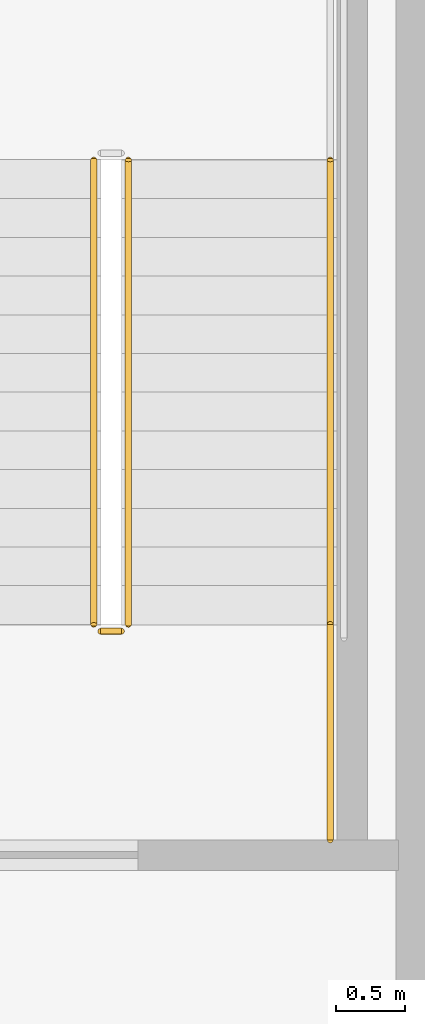
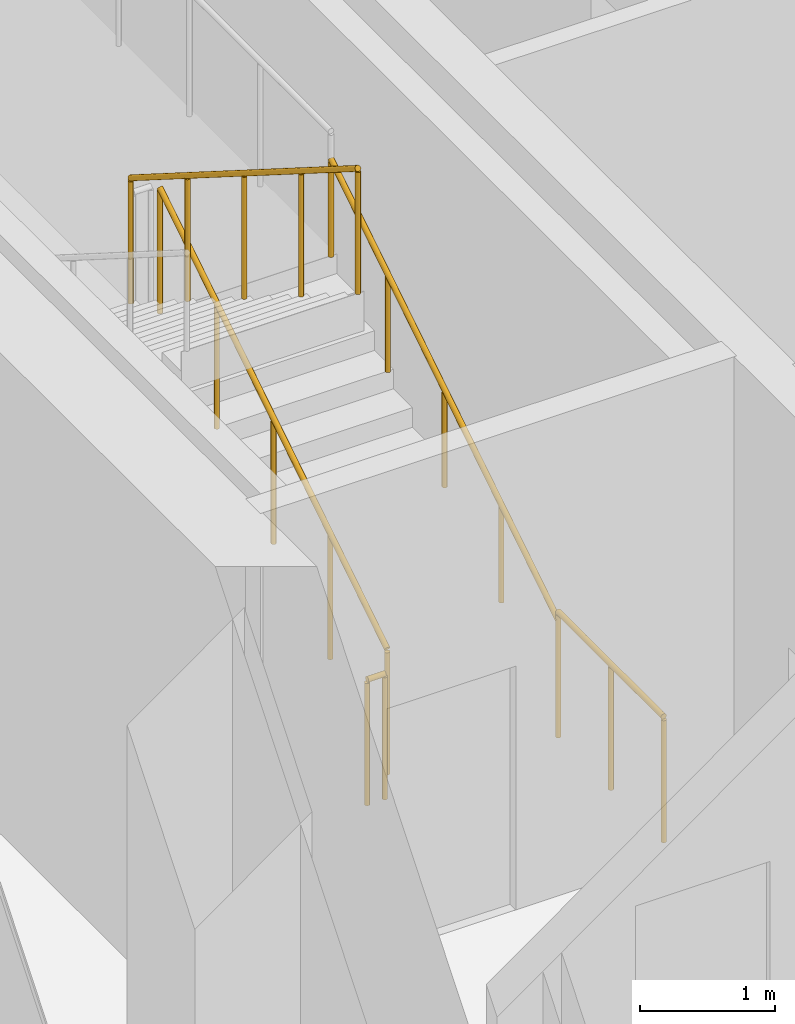
# One storey, part 11 of 14: 5 railings.
"""IFC4 building model written with IfcOpenShell, lengths in metres."""

from ifc_helpers import new_model, si_unit, direction, frame, origin, origin_2d, place, context, subcontext, project, spatial, circle, extrude, material, type_object, element, save


model = new_model("IFC4")

# Units and contexts
model_context = context("Model", 3, precision=1e-05, world=origin(), true_north=direction((0.0, 1.0)))
body_context = subcontext(model_context, "Body", "Model", "MODEL_VIEW")
ifc_project = project(units=[si_unit("LENGTHUNIT", "METRE"), si_unit("AREAUNIT", "SQUARE_METRE"), si_unit("VOLUMEUNIT", "CUBIC_METRE"), si_unit("PLANEANGLEUNIT", "RADIAN"), si_unit("MASSUNIT", "GRAM", prefix="KILO")], contexts=[model_context])

# Site, building, storey
site_placement = place(None, origin())
site = spatial("IfcSite", under=ifc_project, at=site_placement, CompositionType="ELEMENT")
building_placement = place(site_placement, origin())
building = spatial("IfcBuilding", under=site, at=building_placement, Name="Khairoan Windgate Tower", CompositionType="ELEMENT")
storey_placement = place(building_placement, frame((0.0, 0.0, 160.39990234375)))
storey = spatial("IfcBuildingStorey", under=building, at=storey_placement, Name="L36", CompositionType="ELEMENT", Elevation=160.39990234375)

# Railings
ifc_material_1 = material(Name="Anodised Bronze Aluminium 6063-T6", Category="aluminium")
railing_type_1 = type_object("IfcRailingType", Name="Stair Wall Handrail SHR-900", PredefinedType="HANDRAIL", material=ifc_material_1)
railing_1_placement = place(storey_placement, frame((-16.199951171875, 2.9599609375, 0.177001953125)))
element("IfcRailing", 1, at=railing_1_placement, inside=storey, type_object=railing_type_1, Name="L36 ST2 stair handrail 1", PredefinedType="HANDRAIL", context=body_context, shape_type="SweptSolid", body=[
    extrude(circle(Radius=0.02392578125, at=origin_2d()), frame((0.0, 0.0, 0.8759765625), z_axis=(0.0, 0.845389635667, 0.534150132366), x_axis=(-1.0, 0.0, 0.0)), (0.0, 0.0, 1.0), 3.974609375),
    extrude(circle(Radius=0.02099609375, at=origin_2d()), origin(), (0.0, 0.0, 1.0), 0.851806640625),
    extrude(circle(Radius=0.02099609375, at=origin_2d()), frame((0.0, 0.840087890625, 0.53076171875)), (0.0, 0.0, 1.0), 0.851806640625),
    extrude(circle(Radius=0.02099609375, at=origin_2d()), frame((0.0, 1.68017578125, 1.0615234375)), (0.0, 0.0, 1.0), 0.851806640625),
    extrude(circle(Radius=0.02099609375, at=origin_2d()), frame((0.0, 2.52001953125, 1.59228515625)), (0.0, 0.0, 1.0), 0.851806640625),
    extrude(circle(Radius=0.02099609375, at=origin_2d()), frame((0.0, 3.360107421875, 2.123046875)), (0.0, 0.0, 1.0), 0.851806640625),
])
ifc_material_2 = material(Name="Steel S355", Category="steel")
railing_type_2 = type_object("IfcRailingType", Name="Stairwell Safety Guardrail SGR-1150", PredefinedType="GUARDRAIL", material=ifc_material_2)
railing_2_placement = place(storey_placement, frame((-17.659912109375, 2.9599609375, 0.177001953125)))
element("IfcRailing", 2, at=railing_2_placement, inside=storey, type_object=railing_type_2, Name="L36 ST2 stair guard 1", PredefinedType="GUARDRAIL", context=body_context, shape_type="SweptSolid", body=[
    extrude(circle(Radius=0.02392578125, at=origin_2d()), frame((0.0, 0.0, 1.1259765625), z_axis=(0.0, 0.845389635667, 0.534150132366), x_axis=(-1.0, 0.0, 0.0)), (0.0, 0.0, 1.0), 3.974609375),
    extrude(circle(Radius=0.02099609375, at=origin_2d()), origin(), (0.0, 0.0, 1.0), 1.101806640625),
    extrude(circle(Radius=0.02099609375, at=origin_2d()), frame((0.0, 0.840087890625, 0.53076171875)), (0.0, 0.0, 1.0), 1.101806640625),
    extrude(circle(Radius=0.02099609375, at=origin_2d()), frame((0.0, 1.68017578125, 1.0615234375)), (0.0, 0.0, 1.0), 1.101806640625),
    extrude(circle(Radius=0.02099609375, at=origin_2d()), frame((0.0, 2.52001953125, 1.59228515625)), (0.0, 0.0, 1.0), 1.101806640625),
    extrude(circle(Radius=0.02099609375, at=origin_2d()), frame((0.0, 3.360107421875, 2.123046875)), (0.0, 0.0, 1.0), 1.101806640625),
])
railing_3_placement = place(storey_placement, frame((-17.909912109375, 6.320068359375, 2.47705078125)))
element("IfcRailing", 3, at=railing_3_placement, inside=storey, type_object=railing_type_2, Name="L36 ST2 stair guard 6", PredefinedType="GUARDRAIL", context=body_context, shape_type="SweptSolid", body=[
    extrude(circle(Radius=0.02392578125, at=origin_2d()), frame((0.0, 0.0, 1.1259765625), z_axis=(0.0, -0.845389635667, 0.534150132366), x_axis=(1.0, 0.0, 0.0)), (0.0, 0.0, 1.0), 3.974609375),
    extrude(circle(Radius=0.02099609375, at=origin_2d()), origin(), (0.0, 0.0, 1.0), 1.101806640625),
    extrude(circle(Radius=0.02099609375, at=origin_2d()), frame((0.0, -0.840087890625, 0.53076171875)), (0.0, 0.0, 1.0), 1.101806640625),
    extrude(circle(Radius=0.02099609375, at=origin_2d()), frame((0.0, -1.68017578125, 1.0615234375)), (0.0, 0.0, 1.0), 1.101806640625),
    extrude(circle(Radius=0.02099609375, at=origin_2d()), frame((0.0, -2.52001953125, 1.59228515625)), (0.0, 0.0, 1.0), 1.101806640625),
    extrude(circle(Radius=0.02099609375, at=origin_2d()), frame((0.0, -3.360107421875, 2.123046875)), (0.0, 0.0, 1.0), 1.101806640625),
])
railing_4_placement = place(storey_placement, frame((-17.7099609375, 2.909912109375, 0.0)))
element("IfcRailing", 4, at=railing_4_placement, inside=storey, type_object=railing_type_2, Name="L36 ST2 stair guard 7", PredefinedType="GUARDRAIL", context=body_context, shape_type="SweptSolid", body=[
    extrude(circle(Radius=0.02392578125, at=origin_2d()), frame((0.0, 0.0, 1.1259765625), z_axis=(-1.0, 0.0, 0.0), x_axis=(0.0, -1.0, 0.0)), (0.0, 0.0, 1.0), 0.150146484375),
    extrude(circle(Radius=0.02099609375, at=origin_2d()), origin(), (0.0, 0.0, 1.0), 1.101806640625),
    extrude(circle(Radius=0.02099609375, at=origin_2d()), frame((-0.150146484375, 0.0, 0.0)), (0.0, 0.0, 1.0), 1.101806640625),
])
railing_5_placement = place(storey_placement, frame((-16.199951171875, 1.39990234375, 0.0)))
element("IfcRailing", 5, at=railing_5_placement, inside=storey, type_object=railing_type_2, Name="L36 ST2 stair guard 8", PredefinedType="GUARDRAIL", context=body_context, shape_type="SweptSolid", body=[
    extrude(circle(Radius=0.02392578125, at=origin_2d()), frame((0.0, 0.0, 1.1259765625), z_axis=(0.0, 1.0, 0.0), x_axis=(-1.0, 0.0, 0.0)), (0.0, 0.0, 1.0), 1.56005859375),
    extrude(circle(Radius=0.02099609375, at=origin_2d()), origin(), (0.0, 0.0, 1.0), 1.101806640625),
    extrude(circle(Radius=0.02099609375, at=origin_2d()), frame((0.0, 0.780029296875, 0.0)), (0.0, 0.0, 1.0), 1.101806640625),
    extrude(circle(Radius=0.02099609375, at=origin_2d()), frame((0.0, 1.56005859375, 0.0)), (0.0, 0.0, 1.0), 1.101806640625),
])

save(model, "model.ifc")
